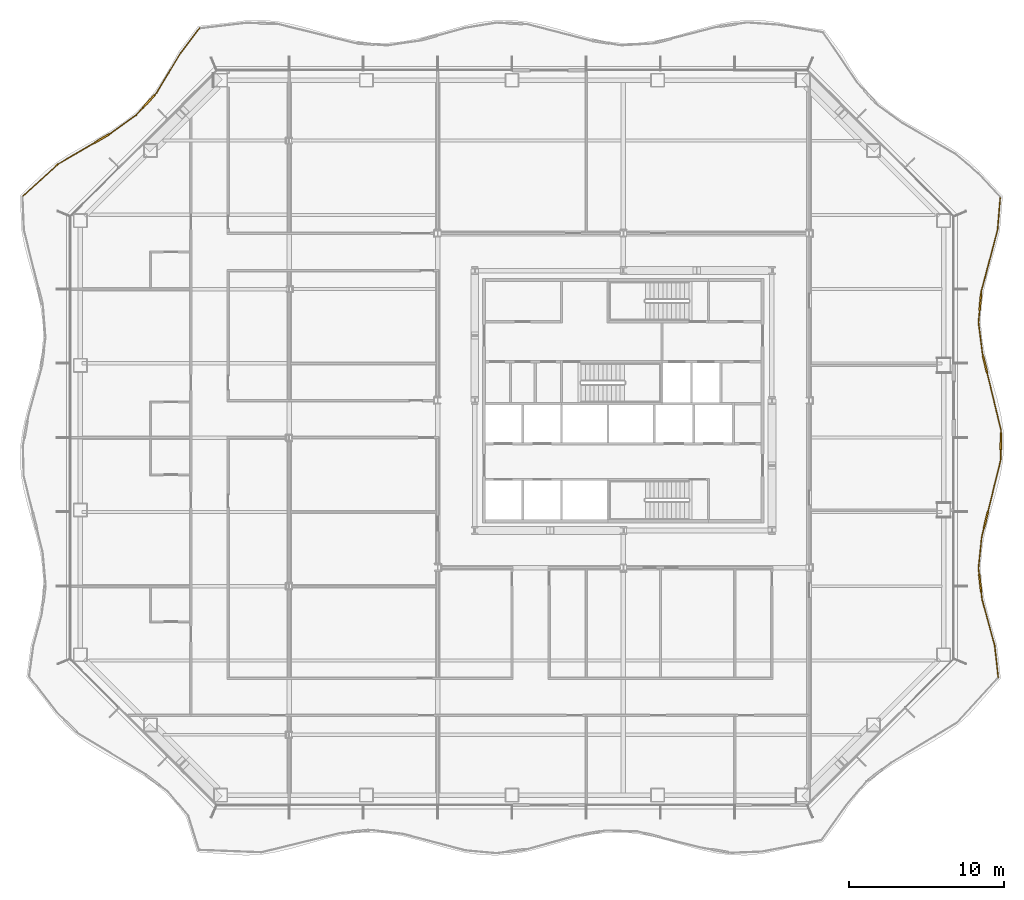
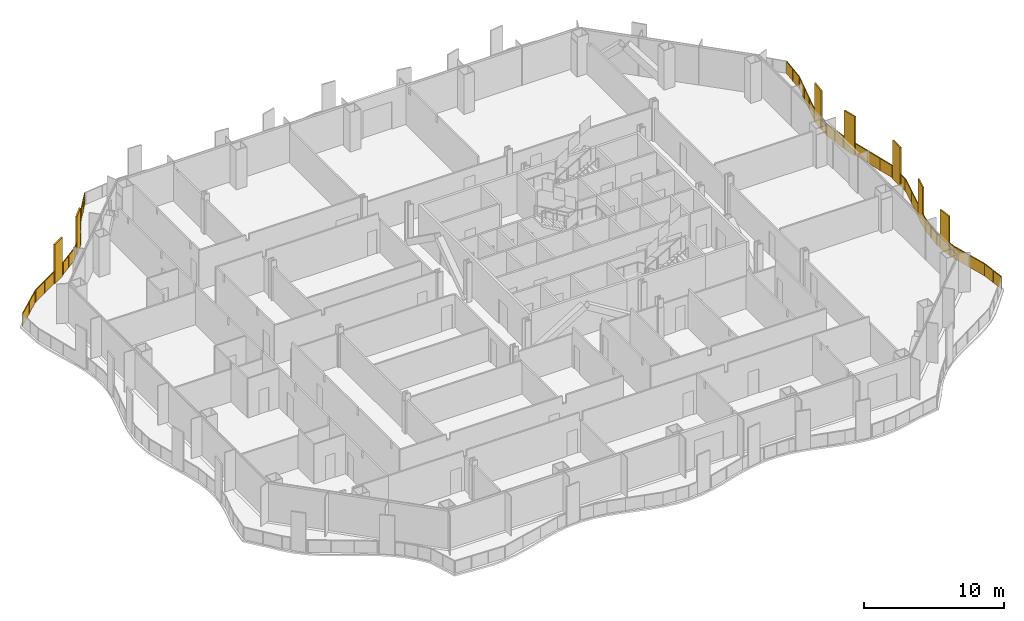
# One storey, part 16 of 18: 2 railings.
"""IFC4 building model written with IfcOpenShell, lengths in metres."""

from ifc_helpers import new_model, si_unit, direction, frame, origin, origin_2d, place, context, subcontext, project, spatial, polyline, rectangle, outline, extrude, material, type_object, element, save


model = new_model("IFC4")

# Units and contexts
model_context = context("Model", 3, precision=1e-05, world=origin(), true_north=direction((0.0, 1.0)))
body_context = subcontext(model_context, "Body", "Model", "MODEL_VIEW")
ifc_project = project(units=[si_unit("LENGTHUNIT", "METRE"), si_unit("AREAUNIT", "SQUARE_METRE"), si_unit("VOLUMEUNIT", "CUBIC_METRE"), si_unit("PLANEANGLEUNIT", "RADIAN"), si_unit("MASSUNIT", "GRAM", prefix="KILO")], contexts=[model_context])

# Site, building, storey
site_placement = place(None, origin())
site = spatial("IfcSite", under=ifc_project, at=site_placement, CompositionType="ELEMENT")
building_placement = place(site_placement, origin())
building = spatial("IfcBuilding", under=site, at=building_placement, Name="Cairn Pilgrim Tower", CompositionType="ELEMENT")
storey_placement = place(building_placement, frame((0.0, 0.0, 76.199951171875)))
storey = spatial("IfcBuildingStorey", under=building, at=storey_placement, Name="L17", CompositionType="ELEMENT", Elevation=76.199951171875)

# Railings
ifc_material = material(Name="Bronze anodised aluminium rail, posts and fin screens with laminated glass infill", Category="aluminium")
railing_type = type_object("IfcRailingType", Name="BALCONY GUARD WITH FIN SCREENS", PredefinedType="GUARDRAIL", material=ifc_material)
railing_1_placement = place(storey_placement, frame((31.428466796875, -15.502197265625, 0.0)))
element("IfcRailing", 1, at=railing_1_placement, inside=storey, type_object=railing_type, Name="Balcony guard BGF-3 with fin screens", PredefinedType="GUARDRAIL", context=body_context, shape_type="SweptSolid", body=[
    extrude(rectangle(XDim=0.050048828125, YDim=0.050048828125, at=origin_2d()), frame((0.0, 0.0, 1.0751953125), z_axis=(-0.111049944027, 0.993814826782, 0.0), x_axis=(-0.993814826782, -0.111049944027, 0.0)), (0.0, 0.0, 1.0), 2.079833984375),
    extrude(rectangle(XDim=0.050048828125, YDim=0.050048828125, at=origin_2d()), frame((-0.23095703125, 2.06689453125, 1.0751953125), z_axis=(-0.263772809644, 0.964584835508, 0.0), x_axis=(-0.964584835508, -0.263772809644, 0.0)), (0.0, 0.0, 1.0), 3.088623046875),
    extrude(rectangle(XDim=1.10009765625, YDim=0.110107421875, at=origin_2d()), frame((-1.16796875, 6.1005859375, 0.0), z_axis=(0.0, 0.0, 1.0), x_axis=(-0.115136074328, 0.993349729143, 0.0)), (0.0, 0.0, 1.0), 3.39990234375),
    extrude(rectangle(XDim=0.050048828125, YDim=0.050048828125, at=origin_2d()), frame((-1.045654296875, 5.046142578125, 1.0751953125), z_axis=(-0.115136074328, 0.993349729143, 0.0), x_axis=(-0.993349729143, -0.115136074328, 0.0)), (0.0, 0.0, 1.0), 0.511474609375),
    extrude(rectangle(XDim=0.050048828125, YDim=0.050048828125, at=origin_2d()), frame((-1.231201171875, 6.64697265625, 1.0751953125), z_axis=(-0.115136074328, 0.993349729143, 0.0), x_axis=(-0.993349729143, -0.115136074328, 0.0)), (0.0, 0.0, 1.0), 0.41552734375),
    extrude(rectangle(XDim=0.050048828125, YDim=0.050048828125, at=origin_2d()), frame((-1.279052734375, 7.059814453125, 1.0751953125), z_axis=(0.101832926503, 0.994801515419, 0.0), x_axis=(-0.994801515419, 0.101832926503, 0.0)), (0.0, 0.0, 1.0), 2.0234375),
    extrude(rectangle(XDim=1.10009765625, YDim=0.110107421875, at=origin_2d()), frame((-0.797607421875, 10.188720703125, 0.0), z_axis=(0.0, 0.0, 1.0), x_axis=(0.239700526098, 0.970846876592, 0.0)), (0.0, 0.0, 1.0), 3.39990234375),
    extrude(rectangle(XDim=0.050048828125, YDim=0.050048828125, at=origin_2d()), frame((-1.072998046875, 9.07275390625, 1.0751953125), z_axis=(0.239700526098, 0.970846876592, 0.0), x_axis=(-0.970846876592, 0.239700526098, 0.0)), (0.0, 0.0, 1.0), 0.599365234375),
    extrude(rectangle(XDim=0.050048828125, YDim=0.050048828125, at=origin_2d()), frame((-0.665771484375, 10.72265625, 1.0751953125), z_axis=(0.239700526098, 0.970846876592, 0.0), x_axis=(-0.970846876592, 0.239700526098, 0.0)), (0.0, 0.0, 1.0), 3.408447265625),
    extrude(rectangle(XDim=1.10009765625, YDim=0.110107421875, at=origin_2d()), frame((0.168212890625, 15.281982421875, 0.0), z_axis=(0.0, 0.0, 1.0), x_axis=(0.01351904485, 0.999908613537, 0.0)), (0.0, 0.0, 1.0), 3.39990234375),
    extrude(rectangle(XDim=0.050048828125, YDim=0.050048828125, at=origin_2d()), frame((0.1513671875, 14.03173828125, 1.0751953125), z_axis=(0.01351904485, 0.999908613537, 0.0), x_axis=(-0.999908613537, 0.01351904485, 0.0)), (0.0, 0.0, 1.0), 0.700439453125),
    extrude(rectangle(XDim=0.050048828125, YDim=0.050048828125, at=origin_2d()), frame((0.17578125, 15.83203125, 1.0751953125), z_axis=(0.01351904485, 0.999908613537, 0.0), x_axis=(-0.999908613537, 0.01351904485, 0.0)), (0.0, 0.0, 1.0), 0.14990234375),
    extrude(rectangle(XDim=1.10009765625, YDim=0.110107421875, at=origin_2d()), frame((-0.857177734375, 20.2568359375, 0.0), z_axis=(0.0, 0.0, 1.0), x_axis=(-0.235317676432, 0.971918510555, 0.0)), (0.0, 0.0, 1.0), 3.39990234375),
    extrude(rectangle(XDim=0.050048828125, YDim=0.050048828125, at=origin_2d()), frame((0.177734375, 15.98193359375, 1.0751953125), z_axis=(-0.235317676432, 0.971918510555, 0.0), x_axis=(-0.971918510555, -0.235317676432, 0.0)), (0.0, 0.0, 1.0), 3.848388671875),
    extrude(rectangle(XDim=0.050048828125, YDim=0.050048828125, at=origin_2d()), frame((-0.98681640625, 20.79150390625, 1.0751953125), z_axis=(-0.235317676432, 0.971918510555, 0.0), x_axis=(-0.971918510555, -0.235317676432, 0.0)), (0.0, 0.0, 1.0), 0.14990234375),
    extrude(rectangle(XDim=0.050048828125, YDim=0.050048828125, at=origin_2d()), frame((-1.02197265625, 20.93701171875, 1.0751953125), z_axis=(-0.126109888678, 0.992016278081, 0.0), x_axis=(-0.992016278081, -0.126109888678, 0.0)), (0.0, 0.0, 1.0), 2.02685546875),
    extrude(rectangle(XDim=1.10009765625, YDim=0.110107421875, at=origin_2d()), frame((-1.158203125, 24.265869140625, 0.0), z_axis=(0.0, 0.0, 1.0), x_axis=(0.09025288619, 0.995918880499, 0.0)), (0.0, 0.0, 1.0), 3.39990234375),
    extrude(rectangle(XDim=0.050048828125, YDim=0.050048828125, at=origin_2d()), frame((-1.277587890625, 22.94775390625, 1.0751953125), z_axis=(0.09025288619, 0.995918880499, 0.0), x_axis=(-0.995918880499, 0.09025288619, 0.0)), (0.0, 0.0, 1.0), 0.7734375),
    extrude(rectangle(XDim=0.050048828125, YDim=0.050048828125, at=origin_2d()), frame((-1.1083984375, 24.8134765625, 1.0751953125), z_axis=(0.09025288619, 0.995918880499, 0.0), x_axis=(-0.995918880499, 0.09025288619, 0.0)), (0.0, 0.0, 1.0), 0.14990234375),
    extrude(rectangle(XDim=0.050048828125, YDim=0.050048828125, at=origin_2d()), frame((-1.094970703125, 24.962890625, 1.0751953125), z_axis=(0.255935025684, 0.966693986031, 0.0), x_axis=(-0.966693986031, 0.255935025684, 0.0)), (0.0, 0.0, 1.0), 4.1083984375),
    extrude(rectangle(XDim=0.050048828125, YDim=0.050048828125, at=origin_2d()), frame((-0.04345703125, 28.9345703125, 1.0751953125), z_axis=(0.082254366327, 0.996611368197, 0.0), x_axis=(-0.996611368197, 0.082254366327, 0.0)), (0.0, 0.0, 1.0), 2.06884765625),
    extrude(rectangle(XDim=0.050048828125, YDim=0.050048828125, at=origin_2d()), origin(), (0.0, 0.0, 1.0), 1.050048828125),
    extrude(rectangle(XDim=0.050048828125, YDim=0.050048828125, at=origin_2d()), frame((-0.115478515625, 1.033447265625, 0.0)), (0.0, 0.0, 1.0), 1.050048828125),
    extrude(rectangle(XDim=0.050048828125, YDim=0.050048828125, at=origin_2d()), frame((-0.23095703125, 2.06689453125, 0.0)), (0.0, 0.0, 1.0), 1.050048828125),
    extrude(rectangle(XDim=0.050048828125, YDim=0.050048828125, at=origin_2d()), frame((-0.63818359375, 3.556640625, 0.0)), (0.0, 0.0, 1.0), 1.050048828125),
    extrude(rectangle(XDim=0.050048828125, YDim=0.050048828125, at=origin_2d()), frame((-1.045654296875, 5.046142578125, 0.0)), (0.0, 0.0, 1.0), 1.050048828125),
    extrude(rectangle(XDim=0.050048828125, YDim=0.050048828125, at=origin_2d()), frame((-1.1015625, 5.529296875, 0.0)), (0.0, 0.0, 1.0), 1.050048828125),
    extrude(rectangle(XDim=0.050048828125, YDim=0.050048828125, at=origin_2d()), frame((-1.234130859375, 6.671875, 0.0)), (0.0, 0.0, 1.0), 1.050048828125),
    extrude(rectangle(XDim=0.050048828125, YDim=0.050048828125, at=origin_2d()), frame((-1.279052734375, 7.059814453125, 0.0)), (0.0, 0.0, 1.0), 1.050048828125),
    extrude(rectangle(XDim=0.050048828125, YDim=0.050048828125, at=origin_2d()), frame((-1.176025390625, 8.06640625, 0.0)), (0.0, 0.0, 1.0), 1.050048828125),
    extrude(rectangle(XDim=0.050048828125, YDim=0.050048828125, at=origin_2d()), frame((-1.072998046875, 9.07275390625, 0.0)), (0.0, 0.0, 1.0), 1.050048828125),
    extrude(rectangle(XDim=0.050048828125, YDim=0.050048828125, at=origin_2d()), frame((-0.935302734375, 9.63037109375, 0.0)), (0.0, 0.0, 1.0), 1.050048828125),
    extrude(rectangle(XDim=0.050048828125, YDim=0.050048828125, at=origin_2d()), frame((-0.65966796875, 10.746826171875, 0.0)), (0.0, 0.0, 1.0), 1.050048828125),
    extrude(rectangle(XDim=0.050048828125, YDim=0.050048828125, at=origin_2d()), frame((-0.254150390625, 12.389404296875, 0.0)), (0.0, 0.0, 1.0), 1.050048828125),
    extrude(rectangle(XDim=0.050048828125, YDim=0.050048828125, at=origin_2d()), frame((0.1513671875, 14.03173828125, 0.0)), (0.0, 0.0, 1.0), 1.050048828125),
    extrude(rectangle(XDim=0.050048828125, YDim=0.050048828125, at=origin_2d()), frame((0.160400390625, 14.70703125, 0.0)), (0.0, 0.0, 1.0), 1.050048828125),
    extrude(rectangle(XDim=0.050048828125, YDim=0.050048828125, at=origin_2d()), frame((0.176025390625, 15.85693359375, 0.0)), (0.0, 0.0, 1.0), 1.050048828125),
    extrude(rectangle(XDim=0.050048828125, YDim=0.050048828125, at=origin_2d()), frame((0.177734375, 15.98193359375, 0.0)), (0.0, 0.0, 1.0), 1.050048828125),
    extrude(rectangle(XDim=0.050048828125, YDim=0.050048828125, at=origin_2d()), frame((-0.1220703125, 17.220703125, 0.0)), (0.0, 0.0, 1.0), 1.050048828125),
    extrude(rectangle(XDim=0.050048828125, YDim=0.050048828125, at=origin_2d()), frame((-0.422119140625, 18.459228515625, 0.0)), (0.0, 0.0, 1.0), 1.050048828125),
    extrude(rectangle(XDim=0.050048828125, YDim=0.050048828125, at=origin_2d()), frame((-0.721923828125, 19.697998046875, 0.0)), (0.0, 0.0, 1.0), 1.050048828125),
    extrude(rectangle(XDim=0.050048828125, YDim=0.050048828125, at=origin_2d()), frame((-0.99267578125, 20.815673828125, 0.0)), (0.0, 0.0, 1.0), 1.050048828125),
    extrude(rectangle(XDim=0.050048828125, YDim=0.050048828125, at=origin_2d()), frame((-1.02197265625, 20.93701171875, 0.0)), (0.0, 0.0, 1.0), 1.050048828125),
    extrude(rectangle(XDim=0.050048828125, YDim=0.050048828125, at=origin_2d()), frame((-1.14990234375, 21.9423828125, 0.0)), (0.0, 0.0, 1.0), 1.050048828125),
    extrude(rectangle(XDim=0.050048828125, YDim=0.050048828125, at=origin_2d()), frame((-1.277587890625, 22.94775390625, 0.0)), (0.0, 0.0, 1.0), 1.050048828125),
    extrude(rectangle(XDim=0.050048828125, YDim=0.050048828125, at=origin_2d()), frame((-1.2099609375, 23.693115234375, 0.0)), (0.0, 0.0, 1.0), 1.050048828125),
    extrude(rectangle(XDim=0.050048828125, YDim=0.050048828125, at=origin_2d()), frame((-1.106201171875, 24.83837890625, 0.0)), (0.0, 0.0, 1.0), 1.050048828125),
    extrude(rectangle(XDim=0.050048828125, YDim=0.050048828125, at=origin_2d()), frame((-1.094970703125, 24.962890625, 0.0)), (0.0, 0.0, 1.0), 1.050048828125),
    extrude(rectangle(XDim=0.050048828125, YDim=0.050048828125, at=origin_2d()), frame((-0.744384765625, 26.286865234375, 0.0)), (0.0, 0.0, 1.0), 1.050048828125),
    extrude(rectangle(XDim=0.050048828125, YDim=0.050048828125, at=origin_2d()), frame((-0.39404296875, 27.610595703125, 0.0)), (0.0, 0.0, 1.0), 1.050048828125),
    extrude(rectangle(XDim=0.050048828125, YDim=0.050048828125, at=origin_2d()), frame((-0.04345703125, 28.9345703125, 0.0)), (0.0, 0.0, 1.0), 1.050048828125),
    extrude(rectangle(XDim=0.050048828125, YDim=0.050048828125, at=origin_2d()), frame((0.04150390625, 29.96533203125, 0.0)), (0.0, 0.0, 1.0), 1.050048828125),
    extrude(rectangle(XDim=0.050048828125, YDim=0.050048828125, at=origin_2d()), frame((0.126708984375, 30.996337890625, 0.0)), (0.0, 0.0, 1.0), 1.050048828125),
    extrude(outline(polyline([(0.02490234375, 0.0), (1.014892578125, 0.0), (1.014892578125, 1.050048828125), (0.02490234375, 1.050048828125), (0.02490234375, 0.0)])), frame((-0.005859375, -0.000732421875, 0.0), z_axis=(0.993814826782, 0.111049944027, 0.0), x_axis=(-0.111049944027, 0.993814826782, 0.0)), (0.0, 0.0, 1.0), 0.011962890625),
    extrude(outline(polyline([(0.02490234375, 0.0), (1.014892578125, 0.0), (1.014892578125, 1.050048828125), (0.02490234375, 1.050048828125), (0.02490234375, 0.0)])), frame((-0.121337890625, 1.03271484375, 0.0), z_axis=(0.993814826782, 0.111049944027, 0.0), x_axis=(-0.111049944027, 0.993814826782, 0.0)), (0.0, 0.0, 1.0), 0.011962890625),
    extrude(outline(polyline([(0.02490234375, 0.0), (1.519287109375, 0.0), (1.519287109375, 1.050048828125), (0.02490234375, 1.050048828125), (0.02490234375, 0.0)])), frame((-0.23681640625, 2.0654296875, 0.0), z_axis=(0.964584835508, 0.263772809644, 0.0), x_axis=(-0.263772809644, 0.964584835508, 0.0)), (0.0, 0.0, 1.0), 0.011962890625),
    extrude(outline(polyline([(0.02490234375, 0.0), (1.519287109375, 0.0), (1.519287109375, 1.050048828125), (0.02490234375, 1.050048828125), (0.02490234375, 0.0)])), frame((-0.64404296875, 3.554931640625, 0.0), z_axis=(0.964584835508, 0.263772809644, 0.0), x_axis=(-0.263772809644, 0.964584835508, 0.0)), (0.0, 0.0, 1.0), 0.011962890625),
    extrude(outline(polyline([(0.02490234375, 0.0), (0.46142578125, 0.0), (0.46142578125, 1.050048828125), (0.02490234375, 1.050048828125), (0.02490234375, 0.0)])), frame((-1.051513671875, 5.04541015625, 0.0), z_axis=(0.993349729143, 0.115136074328, 0.0), x_axis=(-0.115136074328, 0.993349729143, 0.0)), (0.0, 0.0, 1.0), 0.011962890625),
    extrude(outline(polyline([(0.02490234375, 0.0), (0.365478515625, 0.0), (0.365478515625, 1.050048828125), (0.02490234375, 1.050048828125), (0.02490234375, 0.0)])), frame((-1.239990234375, 6.671142578125, 0.0), z_axis=(0.993349729143, 0.115136074328, 0.0), x_axis=(-0.115136074328, 0.993349729143, 0.0)), (0.0, 0.0, 1.0), 0.011962890625),
    extrude(outline(polyline([(0.02490234375, 0.0), (0.98681640625, 0.0), (0.98681640625, 1.050048828125), (0.02490234375, 1.050048828125), (0.02490234375, 0.0)])), frame((-1.284912109375, 7.060302734375, 0.0), z_axis=(0.994801515419, -0.101832926503, 0.0), x_axis=(0.101832926503, 0.994801515419, 0.0)), (0.0, 0.0, 1.0), 0.011962890625),
    extrude(outline(polyline([(0.02490234375, 0.0), (0.98681640625, 0.0), (0.98681640625, 1.050048828125), (0.02490234375, 1.050048828125), (0.02490234375, 0.0)])), frame((-1.181884765625, 8.06689453125, 0.0), z_axis=(0.994801515419, -0.101832926503, 0.0), x_axis=(0.101832926503, 0.994801515419, 0.0)), (0.0, 0.0, 1.0), 0.011962890625),
    extrude(outline(polyline([(0.02490234375, 0.0), (0.54931640625, 0.0), (0.54931640625, 1.050048828125), (0.02490234375, 1.050048828125), (0.02490234375, 0.0)])), frame((-1.078857421875, 9.07421875, 0.0), z_axis=(0.970846876592, -0.239700526098, 0.0), x_axis=(0.239700526098, 0.970846876592, 0.0)), (0.0, 0.0, 1.0), 0.011962890625),
    extrude(outline(polyline([(0.02490234375, 0.0), (1.666748046875, 0.0), (1.666748046875, 1.050048828125), (0.02490234375, 1.050048828125), (0.02490234375, 0.0)])), frame((-0.66552734375, 10.748291015625, 0.0), z_axis=(0.970846876592, -0.239700526098, 0.0), x_axis=(0.239700526098, 0.970846876592, 0.0)), (0.0, 0.0, 1.0), 0.011962890625),
    extrude(outline(polyline([(0.02490234375, 0.0), (1.666748046875, 0.0), (1.666748046875, 1.050048828125), (0.02490234375, 1.050048828125), (0.02490234375, 0.0)])), frame((-0.260009765625, 12.390869140625, 0.0), z_axis=(0.970846876592, -0.239700526098, 0.0), x_axis=(0.239700526098, 0.970846876592, 0.0)), (0.0, 0.0, 1.0), 0.011962890625),
    extrude(outline(polyline([(0.02490234375, 0.0), (0.650390625, 0.0), (0.650390625, 1.050048828125), (0.02490234375, 1.050048828125), (0.02490234375, 0.0)])), frame((0.1455078125, 14.03173828125, 0.0), z_axis=(0.999908613537, -0.01351904485, 0.0), x_axis=(0.01351904485, 0.999908613537, 0.0)), (0.0, 0.0, 1.0), 0.011962890625),
    extrude(outline(polyline([(0.02490234375, 0.0), (0.099853515625, 0.0), (0.099853515625, 1.050048828125), (0.02490234375, 1.050048828125), (0.02490234375, 0.0)])), frame((0.170166015625, 15.857177734375, 0.0), z_axis=(0.999908613537, -0.01351904485, 0.0), x_axis=(0.01351904485, 0.999908613537, 0.0)), (0.0, 0.0, 1.0), 0.011962890625),
    extrude(outline(polyline([(0.02490234375, 0.0), (1.24951171875, 0.0), (1.24951171875, 1.050048828125), (0.02490234375, 1.050048828125), (0.02490234375, 0.0)])), frame((0.171875, 15.98046875, 0.0), z_axis=(0.971918510555, 0.235317676432, 0.0), x_axis=(-0.235317676432, 0.971918510555, 0.0)), (0.0, 0.0, 1.0), 0.011962890625),
    extrude(outline(polyline([(0.02490234375, 0.0), (1.24951171875, 0.0), (1.24951171875, 1.050048828125), (0.02490234375, 1.050048828125), (0.02490234375, 0.0)])), frame((-0.1279296875, 17.21923828125, 0.0), z_axis=(0.971918510555, 0.235317676432, 0.0), x_axis=(-0.235317676432, 0.971918510555, 0.0)), (0.0, 0.0, 1.0), 0.011962890625),
    extrude(outline(polyline([(0.02490234375, 0.0), (1.24951171875, 0.0), (1.24951171875, 1.050048828125), (0.02490234375, 1.050048828125), (0.02490234375, 0.0)])), frame((-0.427978515625, 18.457763671875, 0.0), z_axis=(0.971918510555, 0.235317676432, 0.0), x_axis=(-0.235317676432, 0.971918510555, 0.0)), (0.0, 0.0, 1.0), 0.011962890625),
    extrude(outline(polyline([(0.02490234375, 0.0), (0.099853515625, 0.0), (0.099853515625, 1.050048828125), (0.02490234375, 1.050048828125), (0.02490234375, 0.0)])), frame((-0.99853515625, 20.814208984375, 0.0), z_axis=(0.971918510555, 0.235317676432, 0.0), x_axis=(-0.235317676432, 0.971918510555, 0.0)), (0.0, 0.0, 1.0), 0.011962890625),
    extrude(outline(polyline([(0.02490234375, 0.0), (0.988525390625, 0.0), (0.988525390625, 1.050048828125), (0.02490234375, 1.050048828125), (0.02490234375, 0.0)])), frame((-1.02783203125, 20.936279296875, 0.0), z_axis=(0.992016278081, 0.126109888678, 0.0), x_axis=(-0.126109888678, 0.992016278081, 0.0)), (0.0, 0.0, 1.0), 0.011962890625),
    extrude(outline(polyline([(0.02490234375, 0.0), (0.988525390625, 0.0), (0.988525390625, 1.050048828125), (0.02490234375, 1.050048828125), (0.02490234375, 0.0)])), frame((-1.15576171875, 21.941650390625, 0.0), z_axis=(0.992016278081, 0.126109888678, 0.0), x_axis=(-0.126109888678, 0.992016278081, 0.0)), (0.0, 0.0, 1.0), 0.011962890625),
    extrude(outline(polyline([(0.02490234375, 0.0), (0.723388671875, 0.0), (0.723388671875, 1.050048828125), (0.02490234375, 1.050048828125), (0.02490234375, 0.0)])), frame((-1.283447265625, 22.9482421875, 0.0), z_axis=(0.995918880499, -0.09025288619, 0.0), x_axis=(0.09025288619, 0.995918880499, 0.0)), (0.0, 0.0, 1.0), 0.011962890625),
    extrude(outline(polyline([(0.02490234375, 0.0), (0.099853515625, 0.0), (0.099853515625, 1.050048828125), (0.02490234375, 1.050048828125), (0.02490234375, 0.0)])), frame((-1.1123046875, 24.839111328125, 0.0), z_axis=(0.995918880499, -0.09025288619, 0.0), x_axis=(0.09025288619, 0.995918880499, 0.0)), (0.0, 0.0, 1.0), 0.011962890625),
    extrude(outline(polyline([(0.02490234375, 0.0), (1.344482421875, 0.0), (1.344482421875, 1.050048828125), (0.02490234375, 1.050048828125), (0.02490234375, 0.0)])), frame((-1.100830078125, 24.96435546875, 0.0), z_axis=(0.966693986031, -0.255935025684, 0.0), x_axis=(0.255935025684, 0.966693986031, 0.0)), (0.0, 0.0, 1.0), 0.011962890625),
    extrude(outline(polyline([(0.02490234375, 0.0), (1.344482421875, 0.0), (1.344482421875, 1.050048828125), (0.02490234375, 1.050048828125), (0.02490234375, 0.0)])), frame((-0.750244140625, 26.288330078125, 0.0), z_axis=(0.966693986031, -0.255935025684, 0.0), x_axis=(0.255935025684, 0.966693986031, 0.0)), (0.0, 0.0, 1.0), 0.011962890625),
    extrude(outline(polyline([(0.02490234375, 0.0), (1.344482421875, 0.0), (1.344482421875, 1.050048828125), (0.02490234375, 1.050048828125), (0.02490234375, 0.0)])), frame((-0.399658203125, 27.6123046875, 0.0), z_axis=(0.966693986031, -0.255935025684, 0.0), x_axis=(0.255935025684, 0.966693986031, 0.0)), (0.0, 0.0, 1.0), 0.011962890625),
    extrude(outline(polyline([(0.02490234375, 0.0), (1.00927734375, 0.0), (1.00927734375, 1.050048828125), (0.02490234375, 1.050048828125), (0.02490234375, 0.0)])), frame((-0.04931640625, 28.93505859375, 0.0), z_axis=(0.996611368197, -0.082254366327, 0.0), x_axis=(0.082254366327, 0.996611368197, 0.0)), (0.0, 0.0, 1.0), 0.011962890625),
    extrude(outline(polyline([(0.02490234375, 0.0), (1.00927734375, 0.0), (1.00927734375, 1.050048828125), (0.02490234375, 1.050048828125), (0.02490234375, 0.0)])), frame((0.03564453125, 29.966064453125, 0.0), z_axis=(0.996611368197, -0.082254366327, 0.0), x_axis=(0.082254366327, 0.996611368197, 0.0)), (0.0, 0.0, 1.0), 0.011962890625),
])
railing_2_placement = place(storey_placement, frame((-20.197509765625, 26.461181640625, 0.0)))
element("IfcRailing", 2, at=railing_2_placement, inside=storey, type_object=railing_type, Name="Balcony guard BGF-6 with fin screens", PredefinedType="GUARDRAIL", context=body_context, shape_type="SweptSolid", body=[
    extrude(rectangle(XDim=0.050048828125, YDim=0.050048828125, at=origin_2d()), frame((0.0, 0.0, 1.0751953125), z_axis=(-0.608177028615, -0.793801424706, 0.0), x_axis=(0.793801424706, -0.608177028615, 0.0)), (0.0, 0.0, 1.0), 1.993896484375),
    extrude(rectangle(XDim=0.050048828125, YDim=0.050048828125, at=origin_2d()), frame((-1.212646484375, -1.582763671875, 1.0751953125), z_axis=(-0.51487805485, -0.857263430128, 0.0), x_axis=(0.857263430128, -0.51487805485, 0.0)), (0.0, 0.0, 1.0), 3.0048828125),
    extrude(rectangle(XDim=1.10009765625, YDim=0.110107421875, at=origin_2d()), frame((-3.28515625, -4.7333984375, 0.0), z_axis=(0.0, 0.0, 1.0), x_axis=(-0.674771125998, -0.738027050669, 0.0)), (0.0, 0.0, 1.0), 3.39990234375),
    extrude(rectangle(XDim=0.050048828125, YDim=0.050048828125, at=origin_2d()), frame((-2.759765625, -4.15869140625, 1.0751953125), z_axis=(-0.674771125998, -0.738027050669, 0.0), x_axis=(0.738027050669, -0.674771125998, 0.0)), (0.0, 0.0, 1.0), 0.228515625),
    extrude(rectangle(XDim=0.050048828125, YDim=0.050048828125, at=origin_2d()), frame((-3.65625, -5.13916015625, 1.0751953125), z_axis=(-0.674771125998, -0.738027050669, 0.0), x_axis=(0.738027050669, -0.674771125998, 0.0)), (0.0, 0.0, 1.0), 0.6435546875),
    extrude(rectangle(XDim=0.050048828125, YDim=0.050048828125, at=origin_2d()), frame((-4.090576171875, -5.6142578125, 1.0751953125), z_axis=(-0.811937150845, -0.583744861286, 0.0), x_axis=(0.583744861286, -0.811937150845, 0.0)), (0.0, 0.0, 1.0), 1.98779296875),
    extrude(rectangle(XDim=1.10009765625, YDim=0.110107421875, at=origin_2d()), frame((-6.30908203125, -7.127685546875, 0.0), z_axis=(0.0, 0.0, 1.0), x_axis=(-0.863568616726, -0.504231339968, 0.0)), (0.0, 0.0, 1.0), 3.39990234375),
    extrude(rectangle(XDim=0.050048828125, YDim=0.050048828125, at=origin_2d()), frame((-5.70458984375, -6.774658203125, 1.0751953125), z_axis=(-0.863568616726, -0.504231339968, 0.0), x_axis=(0.504231339968, -0.863568616726, 0.0)), (0.0, 0.0, 1.0), 0.150146484375),
    extrude(rectangle(XDim=0.050048828125, YDim=0.050048828125, at=origin_2d()), frame((-6.7841796875, -7.405029296875, 1.0751953125), z_axis=(-0.863568616726, -0.504231339968, 0.0), x_axis=(0.504231339968, -0.863568616726, 0.0)), (0.0, 0.0, 1.0), 2.751708984375),
    extrude(rectangle(XDim=0.050048828125, YDim=0.050048828125, at=origin_2d()), frame((-9.160400390625, -8.79248046875, 1.0751953125), z_axis=(-0.737267599935, -0.675600833397, 0.0), x_axis=(0.675600833397, -0.737267599935, 0.0)), (0.0, 0.0, 1.0), 3.03662109375),
    extrude(rectangle(XDim=0.050048828125, YDim=0.050048828125, at=origin_2d()), origin(), (0.0, 0.0, 1.0), 1.050048828125),
    extrude(rectangle(XDim=0.050048828125, YDim=0.050048828125, at=origin_2d()), frame((-0.6064453125, -0.79150390625, 0.0)), (0.0, 0.0, 1.0), 1.050048828125),
    extrude(rectangle(XDim=0.050048828125, YDim=0.050048828125, at=origin_2d()), frame((-1.212646484375, -1.582763671875, 0.0)), (0.0, 0.0, 1.0), 1.050048828125),
    extrude(rectangle(XDim=0.050048828125, YDim=0.050048828125, at=origin_2d()), frame((-1.986328125, -2.87060546875, 0.0)), (0.0, 0.0, 1.0), 1.050048828125),
    extrude(rectangle(XDim=0.050048828125, YDim=0.050048828125, at=origin_2d()), frame((-2.759765625, -4.15869140625, 0.0)), (0.0, 0.0, 1.0), 1.050048828125),
    extrude(rectangle(XDim=0.050048828125, YDim=0.050048828125, at=origin_2d()), frame((-2.897216796875, -4.308837890625, 0.0)), (0.0, 0.0, 1.0), 1.050048828125),
    extrude(rectangle(XDim=0.050048828125, YDim=0.050048828125, at=origin_2d()), frame((-3.673095703125, -5.15771484375, 0.0)), (0.0, 0.0, 1.0), 1.050048828125),
    extrude(rectangle(XDim=0.050048828125, YDim=0.050048828125, at=origin_2d()), frame((-4.090576171875, -5.6142578125, 0.0)), (0.0, 0.0, 1.0), 1.050048828125),
    extrude(rectangle(XDim=0.050048828125, YDim=0.050048828125, at=origin_2d()), frame((-4.8974609375, -6.1943359375, 0.0)), (0.0, 0.0, 1.0), 1.050048828125),
    extrude(rectangle(XDim=0.050048828125, YDim=0.050048828125, at=origin_2d()), frame((-5.70458984375, -6.774658203125, 0.0)), (0.0, 0.0, 1.0), 1.050048828125),
    extrude(rectangle(XDim=0.050048828125, YDim=0.050048828125, at=origin_2d()), frame((-5.8125, -6.837646484375, 0.0)), (0.0, 0.0, 1.0), 1.050048828125),
    extrude(rectangle(XDim=0.050048828125, YDim=0.050048828125, at=origin_2d()), frame((-6.8056640625, -7.417724609375, 0.0)), (0.0, 0.0, 1.0), 1.050048828125),
    extrude(rectangle(XDim=0.050048828125, YDim=0.050048828125, at=origin_2d()), frame((-7.983154296875, -8.10498046875, 0.0)), (0.0, 0.0, 1.0), 1.050048828125),
    extrude(rectangle(XDim=0.050048828125, YDim=0.050048828125, at=origin_2d()), frame((-9.160400390625, -8.79248046875, 0.0)), (0.0, 0.0, 1.0), 1.050048828125),
    extrude(rectangle(XDim=0.050048828125, YDim=0.050048828125, at=origin_2d()), frame((-10.27978515625, -9.818359375, 0.0)), (0.0, 0.0, 1.0), 1.050048828125),
    extrude(rectangle(XDim=0.050048828125, YDim=0.050048828125, at=origin_2d()), frame((-11.399169921875, -10.843994140625, 0.0)), (0.0, 0.0, 1.0), 1.050048828125),
    extrude(outline(polyline([(0.02490234375, 0.0), (0.971923828125, 0.0), (0.971923828125, 1.050048828125), (0.02490234375, 1.050048828125), (0.02490234375, 0.0)])), frame((0.004638671875, -0.003662109375, 0.0), z_axis=(-0.793801424706, 0.608177028615, 0.0), x_axis=(-0.608177028615, -0.793801424706, 0.0)), (0.0, 0.0, 1.0), 0.011962890625),
    extrude(outline(polyline([(0.02490234375, 0.0), (0.971923828125, 0.0), (0.971923828125, 1.050048828125), (0.02490234375, 1.050048828125), (0.02490234375, 0.0)])), frame((-0.6015625, -0.794921875, 0.0), z_axis=(-0.793801424706, 0.608177028615, 0.0), x_axis=(-0.608177028615, -0.793801424706, 0.0)), (0.0, 0.0, 1.0), 0.011962890625),
    extrude(outline(polyline([(0.02490234375, 0.0), (1.477294921875, 0.0), (1.477294921875, 1.050048828125), (0.02490234375, 1.050048828125), (0.02490234375, 0.0)])), frame((-1.20751953125, -1.5859375, 0.0), z_axis=(-0.857263430128, 0.51487805485, 0.0), x_axis=(-0.51487805485, -0.857263430128, 0.0)), (0.0, 0.0, 1.0), 0.011962890625),
    extrude(outline(polyline([(0.02490234375, 0.0), (1.477294921875, 0.0), (1.477294921875, 1.050048828125), (0.02490234375, 1.050048828125), (0.02490234375, 0.0)])), frame((-1.98095703125, -2.873779296875, 0.0), z_axis=(-0.857263430128, 0.51487805485, 0.0), x_axis=(-0.51487805485, -0.857263430128, 0.0)), (0.0, 0.0, 1.0), 0.011962890625),
    extrude(outline(polyline([(0.02490234375, 0.0), (0.178466796875, 0.0), (0.178466796875, 1.050048828125), (0.02490234375, 1.050048828125), (0.02490234375, 0.0)])), frame((-2.75537109375, -4.162841796875, 0.0), z_axis=(-0.738027050669, 0.674771125998, 0.0), x_axis=(-0.674771125998, -0.738027050669, 0.0)), (0.0, 0.0, 1.0), 0.011962890625),
    extrude(outline(polyline([(0.02490234375, 0.0), (0.593505859375, 0.0), (0.593505859375, 1.050048828125), (0.02490234375, 1.050048828125), (0.02490234375, 0.0)])), frame((-3.668701171875, -5.16162109375, 0.0), z_axis=(-0.738027050669, 0.674771125998, 0.0), x_axis=(-0.674771125998, -0.738027050669, 0.0)), (0.0, 0.0, 1.0), 0.011962890625),
    extrude(outline(polyline([(0.02490234375, 0.0), (0.968994140625, 0.0), (0.968994140625, 1.050048828125), (0.02490234375, 1.050048828125), (0.02490234375, 0.0)])), frame((-4.087158203125, -5.619140625, 0.0), z_axis=(-0.583744861286, 0.811937150845, 0.0), x_axis=(-0.811937150845, -0.583744861286, 0.0)), (0.0, 0.0, 1.0), 0.011962890625),
    extrude(outline(polyline([(0.02490234375, 0.0), (0.968994140625, 0.0), (0.968994140625, 1.050048828125), (0.02490234375, 1.050048828125), (0.02490234375, 0.0)])), frame((-4.89404296875, -6.19921875, 0.0), z_axis=(-0.583744861286, 0.811937150845, 0.0), x_axis=(-0.811937150845, -0.583744861286, 0.0)), (0.0, 0.0, 1.0), 0.011962890625),
    extrude(outline(polyline([(0.02490234375, 0.0), (0.10009765625, 0.0), (0.10009765625, 1.050048828125), (0.02490234375, 1.050048828125), (0.02490234375, 0.0)])), frame((-5.70166015625, -6.77978515625, 0.0), z_axis=(-0.504231339968, 0.863568616726, 0.0), x_axis=(-0.863568616726, -0.504231339968, 0.0)), (0.0, 0.0, 1.0), 0.011962890625),
    extrude(outline(polyline([(0.02490234375, 0.0), (1.33837890625, 0.0), (1.33837890625, 1.050048828125), (0.02490234375, 1.050048828125), (0.02490234375, 0.0)])), frame((-6.802734375, -7.4228515625, 0.0), z_axis=(-0.504231339968, 0.863568616726, 0.0), x_axis=(-0.863568616726, -0.504231339968, 0.0)), (0.0, 0.0, 1.0), 0.011962890625),
    extrude(outline(polyline([(0.02490234375, 0.0), (1.33837890625, 0.0), (1.33837890625, 1.050048828125), (0.02490234375, 1.050048828125), (0.02490234375, 0.0)])), frame((-7.97998046875, -8.110107421875, 0.0), z_axis=(-0.504231339968, 0.863568616726, 0.0), x_axis=(-0.863568616726, -0.504231339968, 0.0)), (0.0, 0.0, 1.0), 0.011962890625),
    extrude(outline(polyline([(0.02490234375, 0.0), (1.4931640625, 0.0), (1.4931640625, 1.050048828125), (0.02490234375, 1.050048828125), (0.02490234375, 0.0)])), frame((-9.15625, -8.796875, 0.0), z_axis=(-0.675600833397, 0.737267599935, 0.0), x_axis=(-0.737267599935, -0.675600833397, 0.0)), (0.0, 0.0, 1.0), 0.011962890625),
    extrude(outline(polyline([(0.02490234375, 0.0), (1.4931640625, 0.0), (1.4931640625, 1.050048828125), (0.02490234375, 1.050048828125), (0.02490234375, 0.0)])), frame((-10.275634765625, -9.82275390625, 0.0), z_axis=(-0.675600833397, 0.737267599935, 0.0), x_axis=(-0.737267599935, -0.675600833397, 0.0)), (0.0, 0.0, 1.0), 0.011962890625),
])

save(model, "model.ifc")
